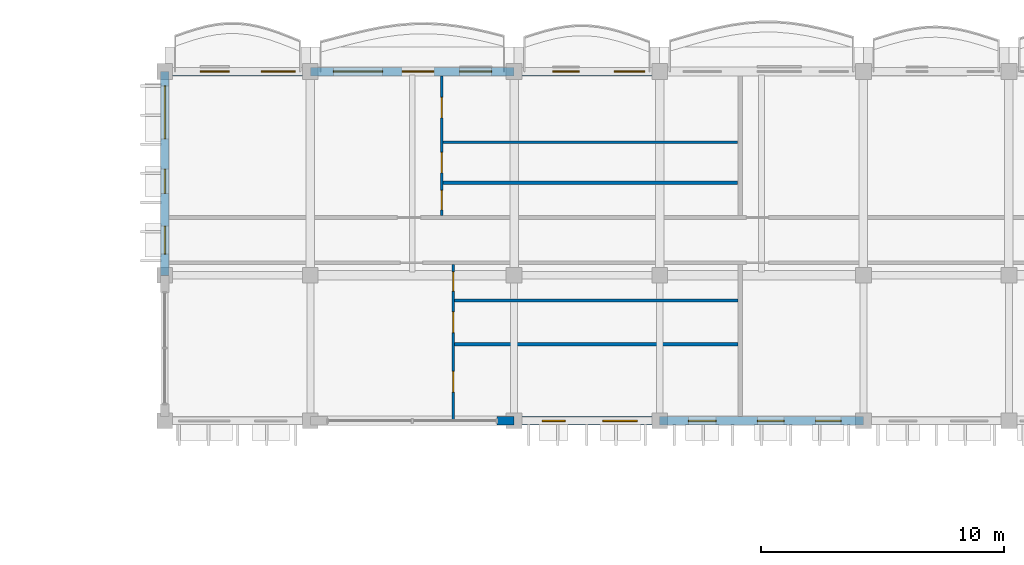
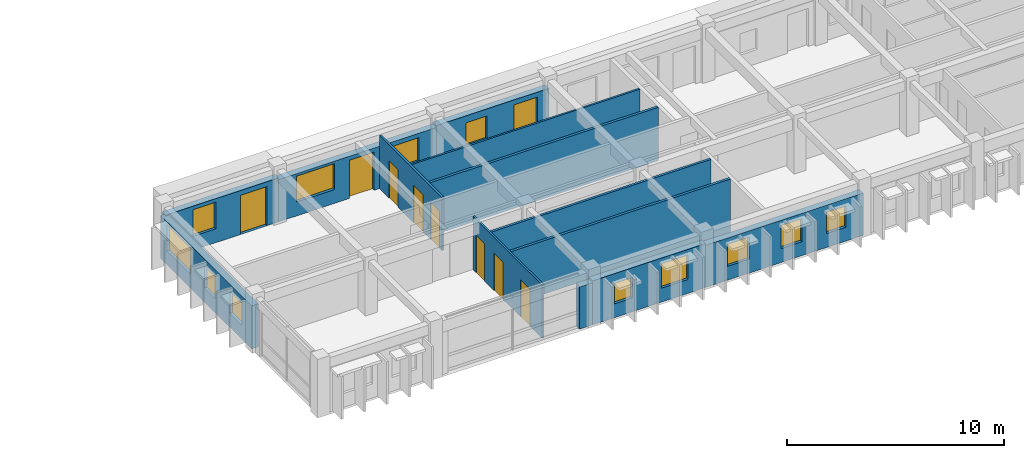
# One storey, part 37 of 79: 13 walls, 12 windows, 9 doors, 21 openings.
"""IFC4 building model written with IfcOpenShell, lengths in metres."""

from ifc_helpers import new_model, si_unit, direction, frame, frame_2d, origin, place, context, subcontext, project, spatial, rectangle, extrude, material, layer, layer_set, type_object, element, fill, save


model = new_model("IFC4")

# Units and contexts
model_context = context("Model", 3, precision=1e-05, world=origin(), true_north=direction((0.0, 1.0)))
body_context = subcontext(model_context, "Body", "Model", "MODEL_VIEW")
ifc_project = project(units=[si_unit("LENGTHUNIT", "METRE"), si_unit("AREAUNIT", "SQUARE_METRE"), si_unit("VOLUMEUNIT", "CUBIC_METRE"), si_unit("PLANEANGLEUNIT", "RADIAN"), si_unit("MASSUNIT", "GRAM", prefix="KILO"), si_unit("THERMODYNAMICTEMPERATUREUNIT", "KELVIN")], contexts=[model_context])

# Site, building, storey
site_placement = place(None, origin())
site = spatial("IfcSite", under=ifc_project, at=site_placement, CompositionType="ELEMENT")
building_placement = place(site_placement, origin())
building = spatial("IfcBuilding", under=site, at=building_placement, Name="Thalorik Housing Commons", CompositionType="ELEMENT")
storey_placement = place(building_placement, frame((0.0, 0.0, 11.39990234375)))
storey = spatial("IfcBuildingStorey", under=building, at=storey_placement, Name="L03", CompositionType="ELEMENT", Elevation=11.39990234375)

# Wall, openings, door, window
ifc_material_1 = material(Name="White precast concrete C40/50", Category="concrete")
ifc_layer_1 = layer(ifc_material_1, 0.35009765625, Name="White precast concrete C40/50", Category="concrete")
ifc_layer_set_1 = layer_set([ifc_layer_1], Name="White precast concrete C40/50")
wall_type_1 = type_object("IfcWallType", Name="ARC-WAL-EXT-350", PredefinedType="STANDARD", material=ifc_layer_set_1)
wall_1_placement = place(storey_placement, frame((100.800048828125, 123.60009765625, 0.0), z_axis=(0.0, 0.0, 1.0), x_axis=(-1.0, 0.0, 0.0)))
wall_1 = element("IfcWall", 1, at=wall_1_placement, inside=storey, type_object=wall_type_1, Name="L03 Exterior Wall WAL-EXT-L03-B-0495", PredefinedType="STANDARD", context=body_context, shape_type="SweptSolid", body=[
    extrude(rectangle(XDim=6.0, YDim=0.35009765625, at=frame_2d((3.0, 0.0))), origin(), (0.0, 0.0, 1.0), 2.47509765625),
])
opening_1_placement = place(wall_1_placement, frame((0.6201171875, 0.0, 0.0)))
opening_1 = element("IfcOpeningElement", 2, at=opening_1_placement, cuts=wall_1, Name="Opening ED-0150", PredefinedType="OPENING", context=body_context, shape_type="SweptSolid", body=[
    extrude(rectangle(XDim=1.25, YDim=2.199951171875, at=frame_2d((0.625, 1.10009765625))), frame((0.0, 0.18505859375, 0.0), z_axis=(0.0, -1.0, 0.0), x_axis=(1.0, 0.0, 0.0)), (0.0, 0.0, 1.0), 0.3701171875),
])
opening_2_placement = place(wall_1_placement, frame((3.31494140625, 0.0, 0.780029296875)))
opening_2 = element("IfcOpeningElement", 3, at=opening_2_placement, cuts=wall_1, Name="Opening W-03", PredefinedType="OPENING", context=body_context, shape_type="SweptSolid", body=[
    extrude(rectangle(XDim=1.10009765625, YDim=1.300048828125, at=frame_2d((0.550048828125, 0.64990234375))), frame((0.0, 0.18505859375, 0.0), z_axis=(0.0, -1.0, 0.0), x_axis=(1.0, 0.0, 0.0)), (0.0, 0.0, 1.0), 0.3701171875),
])
ifc_material_2 = material(Name="Anodised aluminium and laminated safety glass", Category="aluminium")
door_type_1 = type_object("IfcDoorType", Name="ARC-DR-BAL-1250", OperationType="NOTDEFINED", PredefinedType="DOOR", material=ifc_material_2)
door_1_placement = place(opening_1_placement, frame((1.25, 0.0, 0.0), z_axis=(0.0, 0.0, 1.0), x_axis=(-1.0, 0.0, 0.0)))
door_1 = element("IfcDoor", 4, at=door_1_placement, inside=storey, type_object=door_type_1, Name="L03 Block B Balcony Glazed Door", OperationType="SINGLE_SWING_LEFT", OverallHeight=2.199951171875, OverallWidth=1.25, PredefinedType="DOOR", context=body_context, shape_type="SweptSolid", body=[
    extrude(rectangle(XDim=1.25, YDim=2.199951171875, at=frame_2d((0.625, 1.10009765625))), frame((0.0, 0.02490234375, 0.0), z_axis=(0.0, -1.0, 0.0), x_axis=(1.0, 0.0, 0.0)), (0.0, 0.0, 1.0), 0.050048828125),
])
fill(opening_1, door_1)
ifc_material_3 = material(Name="Anodised aluminium and solar-control low-E glass", Category="aluminium")
window_type_1 = type_object("IfcWindowType", Name="ARC-WIN-03", PartitioningType="SINGLE_PANEL", PredefinedType="WINDOW", material=ifc_material_3)
window_1_placement = place(opening_2_placement, origin())
window_1 = element("IfcWindow", 5, at=window_1_placement, inside=storey, type_object=window_type_1, Name="L03 Facade Window 890", OverallHeight=1.300048828125, OverallWidth=1.10009765625, PartitioningType="SINGLE_PANEL", PredefinedType="WINDOW", context=body_context, shape_type="SweptSolid", body=[
    extrude(rectangle(XDim=1.10009765625, YDim=1.300048828125, at=frame_2d((0.550048828125, 0.64990234375))), frame((0.0, 0.030029296875, 0.0), z_axis=(0.0, -1.0, 0.0), x_axis=(1.0, 0.0, 0.0)), (0.0, 0.0, 1.0), 0.06005859375),
])
fill(opening_2, window_1)

# Wall, openings, door, windows
wall_2_placement = place(storey_placement, frame((94.800048828125, 123.60009765625, 0.0), z_axis=(0.0, 0.0, 1.0), x_axis=(-1.0, 0.0, 0.0)))
wall_2 = element("IfcWall", 6, at=wall_2_placement, inside=storey, type_object=wall_type_1, Name="L03 Exterior Wall WAL-EXT-L03-B-0496", PredefinedType="STANDARD", context=body_context, shape_type="SweptSolid", body=[
    extrude(rectangle(XDim=8.400146484375, YDim=0.35009765625, at=frame_2d((4.2001953125, 0.0))), origin(), (0.0, 0.0, 1.0), 2.375),
])
opening_3_placement = place(wall_2_placement, frame((3.313232421875, 0.0, 0.0)))
opening_3 = element("IfcOpeningElement", 7, at=opening_3_placement, cuts=wall_2, Name="Opening ED-0151", PredefinedType="OPENING", context=body_context, shape_type="SweptSolid", body=[
    extrude(rectangle(XDim=1.300048828125, YDim=2.14990234375, at=frame_2d((0.64990234375, 1.074951171875))), frame((0.0, 0.18505859375, 0.0), z_axis=(0.0, -1.0, 0.0), x_axis=(1.0, 0.0, 0.0)), (0.0, 0.0, 1.0), 0.3701171875),
])
opening_4_placement = place(wall_2_placement, frame((0.926513671875, 0.0, 0.780029296875)))
opening_4 = element("IfcOpeningElement", 8, at=opening_4_placement, cuts=wall_2, Name="Opening W-48", PredefinedType="OPENING", context=body_context, shape_type="SweptSolid", body=[
    extrude(rectangle(XDim=1.320068359375, YDim=1.35009765625, at=frame_2d((0.66015625, 0.675048828125))), frame((0.0, 0.18505859375, 0.0), z_axis=(0.0, -1.0, 0.0), x_axis=(1.0, 0.0, 0.0)), (0.0, 0.0, 1.0), 0.3701171875),
])
opening_5_placement = place(wall_2_placement, frame((5.41650390625, 0.0, 0.780029296875)))
opening_5 = element("IfcOpeningElement", 9, at=opening_5_placement, cuts=wall_2, Name="Opening W-62", PredefinedType="OPENING", context=body_context, shape_type="SweptSolid", body=[
    extrude(rectangle(XDim=2.0400390625, YDim=1.4599609375, at=frame_2d((1.02001953125, 0.72998046875))), frame((0.0, 0.18505859375, 0.0), z_axis=(0.0, -1.0, 0.0), x_axis=(1.0, 0.0, 0.0)), (0.0, 0.0, 1.0), 0.3701171875),
])
door_type_2 = type_object("IfcDoorType", Name="ARC-DR-BAL-1300", OperationType="NOTDEFINED", PredefinedType="DOOR", material=ifc_material_2)
door_2_placement = place(opening_3_placement, frame((1.300048828125, 0.0, 0.0), z_axis=(0.0, 0.0, 1.0), x_axis=(-1.0, 0.0, 0.0)))
door_2 = element("IfcDoor", 10, at=door_2_placement, inside=storey, type_object=door_type_2, Name="L03 Block B Balcony Glazed Door", OperationType="SINGLE_SWING_RIGHT", OverallHeight=2.14990234375, OverallWidth=1.300048828125, PredefinedType="DOOR", context=body_context, shape_type="SweptSolid", body=[
    extrude(rectangle(XDim=1.300048828125, YDim=2.14990234375, at=frame_2d((0.64990234375, 1.074951171875))), frame((0.0, 0.02490234375, 0.0), z_axis=(0.0, -1.0, 0.0), x_axis=(1.0, 0.0, 0.0)), (0.0, 0.0, 1.0), 0.050048828125),
])
fill(opening_3, door_2)
window_type_2 = type_object("IfcWindowType", Name="ARC-WIN-48", PartitioningType="SINGLE_PANEL", PredefinedType="WINDOW", material=ifc_material_3)
window_2_placement = place(opening_4_placement, origin())
window_2 = element("IfcWindow", 11, at=window_2_placement, inside=storey, type_object=window_type_2, Name="L03 Facade Window 891", OverallHeight=1.35009765625, OverallWidth=1.320068359375, PartitioningType="SINGLE_PANEL", PredefinedType="WINDOW", context=body_context, shape_type="SweptSolid", body=[
    extrude(rectangle(XDim=1.320068359375, YDim=1.35009765625, at=frame_2d((0.66015625, 0.675048828125))), frame((0.0, 0.030029296875, 0.0), z_axis=(0.0, -1.0, 0.0), x_axis=(1.0, 0.0, 0.0)), (0.0, 0.0, 1.0), 0.06005859375),
])
fill(opening_4, window_2)
window_type_3 = type_object("IfcWindowType", Name="ARC-WIN-62", PartitioningType="DOUBLE_PANEL_VERTICAL", PredefinedType="WINDOW", material=ifc_material_3)
window_3_placement = place(opening_5_placement, origin())
window_3 = element("IfcWindow", 12, at=window_3_placement, inside=storey, type_object=window_type_3, Name="L03 Facade Window 892", OverallHeight=1.4599609375, OverallWidth=2.0400390625, PartitioningType="DOUBLE_PANEL_VERTICAL", PredefinedType="WINDOW", context=body_context, shape_type="SweptSolid", body=[
    extrude(rectangle(XDim=2.0400390625, YDim=1.4599609375, at=frame_2d((1.02001953125, 0.72998046875))), frame((0.0, 0.030029296875, 0.0), z_axis=(0.0, -1.0, 0.0), x_axis=(1.0, 0.0, 0.0)), (0.0, 0.0, 1.0), 0.06005859375),
])
fill(opening_5, window_3)

# Wall, openings, door, window
wall_3_placement = place(storey_placement, frame((86.39990234375, 123.60009765625, 0.0), z_axis=(0.0, 0.0, 1.0), x_axis=(-1.0, 0.0, 0.0)))
wall_3 = element("IfcWall", 13, at=wall_3_placement, inside=storey, type_object=wall_type_1, Name="L03 Exterior Wall WAL-EXT-L03-B-0497", PredefinedType="STANDARD", context=body_context, shape_type="SweptSolid", body=[
    extrude(rectangle(XDim=6.0, YDim=0.35009765625, at=frame_2d((3.0, 0.0))), origin(), (0.0, 0.0, 1.0), 2.47509765625),
])
opening_6_placement = place(wall_3_placement, frame((0.6201171875, 0.0, 0.0)))
opening_6 = element("IfcOpeningElement", 14, at=opening_6_placement, cuts=wall_3, Name="Opening ED-0152", PredefinedType="OPENING", context=body_context, shape_type="SweptSolid", body=[
    extrude(rectangle(XDim=1.39990234375, YDim=2.199951171875, at=frame_2d((0.699951171875, 1.10009765625))), frame((0.0, 0.18505859375, 0.0), z_axis=(0.0, -1.0, 0.0), x_axis=(1.0, 0.0, 0.0)), (0.0, 0.0, 1.0), 0.3701171875),
])
opening_7_placement = place(wall_3_placement, frame((3.340087890625, 0.0, 0.780029296875)))
opening_7 = element("IfcOpeningElement", 15, at=opening_7_placement, cuts=wall_3, Name="Opening W-05", PredefinedType="OPENING", context=body_context, shape_type="SweptSolid", body=[
    extrude(rectangle(XDim=1.199951171875, YDim=1.5, at=frame_2d((0.60009765625, 0.75))), frame((0.0, 0.18505859375, 0.0), z_axis=(0.0, -1.0, 0.0), x_axis=(1.0, 0.0, 0.0)), (0.0, 0.0, 1.0), 0.3701171875),
])
door_type_3 = type_object("IfcDoorType", Name="ARC-DR-BAL-1400", OperationType="NOTDEFINED", PredefinedType="DOOR", material=ifc_material_2)
door_3_placement = place(opening_6_placement, frame((1.39990234375, 0.0, 0.0), z_axis=(0.0, 0.0, 1.0), x_axis=(-1.0, 0.0, 0.0)))
door_3 = element("IfcDoor", 16, at=door_3_placement, inside=storey, type_object=door_type_3, Name="L03 Block B Balcony Glazed Door", OperationType="SLIDING_TO_LEFT", OverallHeight=2.199951171875, OverallWidth=1.39990234375, PredefinedType="DOOR", context=body_context, shape_type="SweptSolid", body=[
    extrude(rectangle(XDim=1.39990234375, YDim=2.199951171875, at=frame_2d((0.699951171875, 1.10009765625))), frame((0.0, 0.02490234375, 0.0), z_axis=(0.0, -1.0, 0.0), x_axis=(1.0, 0.0, 0.0)), (0.0, 0.0, 1.0), 0.050048828125),
])
fill(opening_6, door_3)
window_type_4 = type_object("IfcWindowType", Name="ARC-WIN-05", PartitioningType="SINGLE_PANEL", PredefinedType="WINDOW", material=ifc_material_3)
window_4_placement = place(opening_7_placement, origin())
window_4 = element("IfcWindow", 17, at=window_4_placement, inside=storey, type_object=window_type_4, Name="L03 Facade Window 893", OverallHeight=1.5, OverallWidth=1.199951171875, PartitioningType="SINGLE_PANEL", PredefinedType="WINDOW", context=body_context, shape_type="SweptSolid", body=[
    extrude(rectangle(XDim=1.199951171875, YDim=1.5, at=frame_2d((0.60009765625, 0.75))), frame((0.0, 0.030029296875, 0.0), z_axis=(0.0, -1.0, 0.0), x_axis=(1.0, 0.0, 0.0)), (0.0, 0.0, 1.0), 0.06005859375),
])
fill(opening_7, window_4)

# Wall, openings, windows
wall_4_placement = place(storey_placement, frame((80.39990234375, 123.60009765625, 0.0), z_axis=(0.0, 0.0, 1.0), x_axis=(0.0, -1.0, 0.0)))
wall_4 = element("IfcWall", 18, at=wall_4_placement, inside=storey, type_object=wall_type_1, Name="L03 Exterior Wall WAL-EXT-L03-B-0498", PredefinedType="STANDARD", context=body_context, shape_type="SweptSolid", body=[
    extrude(rectangle(XDim=8.400146484375, YDim=0.35009765625, at=frame_2d((4.2001953125, 0.0))), origin(), (0.0, 0.0, 1.0), 2.425048828125),
])
opening_8_placement = place(wall_4_placement, frame((0.592529296875, 0.0, 0.780029296875)))
opening_8 = element("IfcOpeningElement", 19, at=opening_8_placement, cuts=wall_4, Name="Opening W-65", PredefinedType="OPENING", context=body_context, shape_type="SweptSolid", body=[
    extrude(rectangle(XDim=2.179931640625, YDim=1.47998046875, at=frame_2d((1.08984375, 0.739990234375))), frame((0.0, 0.18505859375, 0.0), z_axis=(0.0, -1.0, 0.0), x_axis=(1.0, 0.0, 0.0)), (0.0, 0.0, 1.0), 0.3701171875),
])
opening_9_placement = place(wall_4_placement, frame((4.027587890625, 0.0, 0.780029296875)))
opening_9 = element("IfcOpeningElement", 20, at=opening_9_placement, cuts=wall_4, Name="Opening W-02", PredefinedType="OPENING", context=body_context, shape_type="SweptSolid", body=[
    extrude(rectangle(XDim=1.0, YDim=1.25, at=frame_2d((0.5, 0.625))), frame((0.0, 0.18505859375, 0.0), z_axis=(0.0, -1.0, 0.0), x_axis=(1.0, 0.0, 0.0)), (0.0, 0.0, 1.0), 0.3701171875),
])
opening_10_placement = place(wall_4_placement, frame((6.375, 0.0, 0.780029296875)))
opening_10 = element("IfcOpeningElement", 21, at=opening_10_placement, cuts=wall_4, Name="Opening W-45", PredefinedType="OPENING", context=body_context, shape_type="SweptSolid", body=[
    extrude(rectangle(XDim=1.14990234375, YDim=1.25, at=frame_2d((0.574951171875, 0.625))), frame((0.0, 0.18505859375, 0.0), z_axis=(0.0, -1.0, 0.0), x_axis=(1.0, 0.0, 0.0)), (0.0, 0.0, 1.0), 0.3701171875),
])
window_type_5 = type_object("IfcWindowType", Name="ARC-WIN-02", PartitioningType="SINGLE_PANEL", PredefinedType="WINDOW", material=ifc_material_3)
window_5_placement = place(opening_9_placement, origin())
window_5 = element("IfcWindow", 22, at=window_5_placement, inside=storey, type_object=window_type_5, Name="L03 Facade Window 895", OverallHeight=1.25, OverallWidth=1.0, PartitioningType="SINGLE_PANEL", PredefinedType="WINDOW", context=body_context, shape_type="SweptSolid", body=[
    extrude(rectangle(XDim=1.0, YDim=1.25, at=frame_2d((0.5, 0.625))), frame((0.0, 0.030029296875, 0.0), z_axis=(0.0, -1.0, 0.0), x_axis=(1.0, 0.0, 0.0)), (0.0, 0.0, 1.0), 0.06005859375),
])
fill(opening_9, window_5)
window_type_6 = type_object("IfcWindowType", Name="ARC-WIN-45", PartitioningType="SINGLE_PANEL", PredefinedType="WINDOW", material=ifc_material_3)
window_6_placement = place(opening_10_placement, origin())
window_6 = element("IfcWindow", 23, at=window_6_placement, inside=storey, type_object=window_type_6, Name="L03 Facade Window 896", OverallHeight=1.25, OverallWidth=1.14990234375, PartitioningType="SINGLE_PANEL", PredefinedType="WINDOW", context=body_context, shape_type="SweptSolid", body=[
    extrude(rectangle(XDim=1.14990234375, YDim=1.25, at=frame_2d((0.574951171875, 0.625))), frame((0.0, 0.030029296875, 0.0), z_axis=(0.0, -1.0, 0.0), x_axis=(1.0, 0.0, 0.0)), (0.0, 0.0, 1.0), 0.06005859375),
])
fill(opening_10, window_6)
window_type_7 = type_object("IfcWindowType", Name="ARC-WIN-65", PartitioningType="DOUBLE_PANEL_VERTICAL", PredefinedType="WINDOW", material=ifc_material_3)
window_7_placement = place(opening_8_placement, origin())
window_7 = element("IfcWindow", 24, at=window_7_placement, inside=storey, type_object=window_type_7, Name="L03 Facade Window 894", OverallHeight=1.47998046875, OverallWidth=2.179931640625, PartitioningType="DOUBLE_PANEL_VERTICAL", PredefinedType="WINDOW", context=body_context, shape_type="SweptSolid", body=[
    extrude(rectangle(XDim=2.179931640625, YDim=1.47998046875, at=frame_2d((1.08984375, 0.739990234375))), frame((0.0, 0.030029296875, 0.0), z_axis=(0.0, -1.0, 0.0), x_axis=(1.0, 0.0, 0.0)), (0.0, 0.0, 1.0), 0.06005859375),
])
fill(opening_8, window_7)

# Wall
wall_5_placement = place(storey_placement, frame((94.10009765625, 109.199951171875, 0.0), z_axis=(0.0, 0.0, 1.0), x_axis=(1.0, 0.0, 0.0)))
element("IfcWall", 25, at=wall_5_placement, inside=storey, type_object=wall_type_1, Name="L03 Exterior Wall WAL-PIERR-L03-B-0501", PredefinedType="STANDARD", context=body_context, shape_type="SweptSolid", body=[
    extrude(rectangle(XDim=0.699951171875, YDim=0.35009765625, at=frame_2d((0.35009765625, 0.0))), origin(), (0.0, 0.0, 1.0), 2.375),
])

# Wall, openings, windows
wall_6_placement = place(storey_placement, frame((94.800048828125, 109.199951171875, 0.0), z_axis=(0.0, 0.0, 1.0), x_axis=(1.0, 0.0, 0.0)))
wall_6 = element("IfcWall", 26, at=wall_6_placement, inside=storey, type_object=wall_type_1, Name="L03 Exterior Wall WAL-EXT-L03-B-0502", PredefinedType="STANDARD", context=body_context, shape_type="SweptSolid", body=[
    extrude(rectangle(XDim=6.0, YDim=0.35009765625, at=frame_2d((3.0, 0.0))), origin(), (0.0, 0.0, 1.0), 2.47509765625),
])
opening_11_placement = place(wall_6_placement, frame((1.155029296875, 0.0, 0.780029296875)))
opening_11 = element("IfcOpeningElement", 27, at=opening_11_placement, cuts=wall_6, Name="Opening W-43", PredefinedType="OPENING", context=body_context, shape_type="SweptSolid", body=[
    extrude(rectangle(XDim=0.949951171875, YDim=1.14990234375, at=frame_2d((0.47509765625, 0.574951171875))), frame((0.0, 0.18505859375, 0.0), z_axis=(0.0, -1.0, 0.0), x_axis=(1.0, 0.0, 0.0)), (0.0, 0.0, 1.0), 0.3701171875),
])
opening_12_placement = place(wall_6_placement, frame((3.659912109375, 0.0, 0.780029296875)))
opening_12 = element("IfcOpeningElement", 28, at=opening_12_placement, cuts=wall_6, Name="Opening W-50", PredefinedType="OPENING", context=body_context, shape_type="SweptSolid", body=[
    extrude(rectangle(XDim=1.419921875, YDim=1.3798828125, at=frame_2d((0.7099609375, 0.68994140625))), frame((0.0, 0.18505859375, 0.0), z_axis=(0.0, -1.0, 0.0), x_axis=(1.0, 0.0, 0.0)), (0.0, 0.0, 1.0), 0.3701171875),
])
window_type_8 = type_object("IfcWindowType", Name="ARC-WIN-43", PartitioningType="SINGLE_PANEL", PredefinedType="WINDOW", material=ifc_material_3)
window_8_placement = place(opening_11_placement, origin())
window_8 = element("IfcWindow", 29, at=window_8_placement, inside=storey, type_object=window_type_8, Name="L03 Facade Window 899", OverallHeight=1.14990234375, OverallWidth=0.949951171875, PartitioningType="SINGLE_PANEL", PredefinedType="WINDOW", context=body_context, shape_type="SweptSolid", body=[
    extrude(rectangle(XDim=0.949951171875, YDim=1.14990234375, at=frame_2d((0.47509765625, 0.574951171875))), frame((0.0, 0.030029296875, 0.0), z_axis=(0.0, -1.0, 0.0), x_axis=(1.0, 0.0, 0.0)), (0.0, 0.0, 1.0), 0.06005859375),
])
fill(opening_11, window_8)
window_type_9 = type_object("IfcWindowType", Name="ARC-WIN-50", PartitioningType="SINGLE_PANEL", PredefinedType="WINDOW", material=ifc_material_3)
window_9_placement = place(opening_12_placement, origin())
window_9 = element("IfcWindow", 30, at=window_9_placement, inside=storey, type_object=window_type_9, Name="L03 Facade Window 900", OverallHeight=1.3798828125, OverallWidth=1.419921875, PartitioningType="SINGLE_PANEL", PredefinedType="WINDOW", context=body_context, shape_type="SweptSolid", body=[
    extrude(rectangle(XDim=1.419921875, YDim=1.3798828125, at=frame_2d((0.7099609375, 0.68994140625))), frame((0.0, 0.030029296875, 0.0), z_axis=(0.0, -1.0, 0.0), x_axis=(1.0, 0.0, 0.0)), (0.0, 0.0, 1.0), 0.06005859375),
])
fill(opening_12, window_9)

wall_7_placement = place(storey_placement, frame((100.800048828125, 109.199951171875, 0.0), z_axis=(0.0, 0.0, 1.0), x_axis=(1.0, 0.0, 0.0)))
wall_7 = element("IfcWall", 31, at=wall_7_placement, inside=storey, type_object=wall_type_1, Name="L03 Exterior Wall WAL-EXT-L03-B-0503", PredefinedType="STANDARD", context=body_context, shape_type="SweptSolid", body=[
    extrude(rectangle(XDim=8.39990234375, YDim=0.35009765625, at=frame_2d((4.199951171875, 0.0))), origin(), (0.0, 0.0, 1.0), 2.375),
])
opening_13_placement = place(wall_7_placement, frame((1.179931640625, 0.0, 0.780029296875)))
opening_13 = element("IfcOpeningElement", 32, at=opening_13_placement, cuts=wall_7, Name="Opening W-45", PredefinedType="OPENING", context=body_context, shape_type="SweptSolid", body=[
    extrude(rectangle(XDim=1.14990234375, YDim=1.25, at=frame_2d((0.574951171875, 0.625))), frame((0.0, 0.18505859375, 0.0), z_axis=(0.0, -1.0, 0.0), x_axis=(1.0, 0.0, 0.0)), (0.0, 0.0, 1.0), 0.3701171875),
])
opening_14_placement = place(wall_7_placement, frame((4.027587890625, 0.0, 0.780029296875)))
opening_14 = element("IfcOpeningElement", 33, at=opening_14_placement, cuts=wall_7, Name="Opening W-03", PredefinedType="OPENING", context=body_context, shape_type="SweptSolid", body=[
    extrude(rectangle(XDim=1.10009765625, YDim=1.300048828125, at=frame_2d((0.550048828125, 0.64990234375))), frame((0.0, 0.18505859375, 0.0), z_axis=(0.0, -1.0, 0.0), x_axis=(1.0, 0.0, 0.0)), (0.0, 0.0, 1.0), 0.3701171875),
])
opening_15_placement = place(wall_7_placement, frame((6.427490234375, 0.0, 0.780029296875)))
opening_15 = element("IfcOpeningElement", 34, at=opening_15_placement, cuts=wall_7, Name="Opening W-44", PredefinedType="OPENING", context=body_context, shape_type="SweptSolid", body=[
    extrude(rectangle(XDim=1.050048828125, YDim=1.199951171875, at=frame_2d((0.52490234375, 0.60009765625))), frame((0.0, 0.18505859375, 0.0), z_axis=(0.0, -1.0, 0.0), x_axis=(1.0, 0.0, 0.0)), (0.0, 0.0, 1.0), 0.3701171875),
])
window_10_placement = place(opening_14_placement, origin())
window_10 = element("IfcWindow", 35, at=window_10_placement, inside=storey, type_object=window_type_1, Name="L03 Facade Window 902", OverallHeight=1.300048828125, OverallWidth=1.10009765625, PartitioningType="SINGLE_PANEL", PredefinedType="WINDOW", context=body_context, shape_type="SweptSolid", body=[
    extrude(rectangle(XDim=1.10009765625, YDim=1.300048828125, at=frame_2d((0.550048828125, 0.64990234375))), frame((0.0, 0.030029296875, 0.0), z_axis=(0.0, -1.0, 0.0), x_axis=(1.0, 0.0, 0.0)), (0.0, 0.0, 1.0), 0.06005859375),
])
fill(opening_14, window_10)
window_type_10 = type_object("IfcWindowType", Name="ARC-WIN-44", PartitioningType="SINGLE_PANEL", PredefinedType="WINDOW", material=ifc_material_3)
window_11_placement = place(opening_15_placement, origin())
window_11 = element("IfcWindow", 36, at=window_11_placement, inside=storey, type_object=window_type_10, Name="L03 Facade Window 903", OverallHeight=1.199951171875, OverallWidth=1.050048828125, PartitioningType="SINGLE_PANEL", PredefinedType="WINDOW", context=body_context, shape_type="SweptSolid", body=[
    extrude(rectangle(XDim=1.050048828125, YDim=1.199951171875, at=frame_2d((0.52490234375, 0.60009765625))), frame((0.0, 0.030029296875, 0.0), z_axis=(0.0, -1.0, 0.0), x_axis=(1.0, 0.0, 0.0)), (0.0, 0.0, 1.0), 0.06005859375),
])
fill(opening_15, window_11)
window_12_placement = place(opening_13_placement, origin())
window_12 = element("IfcWindow", 37, at=window_12_placement, inside=storey, type_object=window_type_6, Name="L03 Facade Window 901", OverallHeight=1.25, OverallWidth=1.14990234375, PartitioningType="SINGLE_PANEL", PredefinedType="WINDOW", context=body_context, shape_type="SweptSolid", body=[
    extrude(rectangle(XDim=1.14990234375, YDim=1.25, at=frame_2d((0.574951171875, 0.625))), frame((0.0, 0.030029296875, 0.0), z_axis=(0.0, -1.0, 0.0), x_axis=(1.0, 0.0, 0.0)), (0.0, 0.0, 1.0), 0.06005859375),
])
fill(opening_13, window_12)

# Wall, openings, doors
ifc_material_4 = material(Name="Gypsum light stud partition", Category="masonry")
ifc_layer_2 = layer(ifc_material_4, 0.10009765625, Name="Gypsum light stud partition", Category="masonry")
ifc_layer_set_2 = layer_set([ifc_layer_2], Name="Gypsum light stud partition")
wall_type_2 = type_object("IfcWallType", Name="ARC-WAL-PART-100", PredefinedType="PARTITIONING", material=ifc_layer_set_2)
wall_8_placement = place(storey_placement, frame((92.2900390625, 109.260009765625, 0.0), z_axis=(0.0, 0.0, 1.0), x_axis=(0.0, 1.0, 0.0)))
wall_8 = element("IfcWall", 38, at=wall_8_placement, inside=storey, type_object=wall_type_2, Name="L03 Unit 1 Spine Partition", PredefinedType="PARTITIONING", context=body_context, shape_type="SweptSolid", body=[
    extrude(rectangle(XDim=6.383056640625, YDim=0.10009765625, at=frame_2d((3.19140625, 0.0))), origin(), (0.0, 0.0, 1.0), 3.0),
])
opening_16_placement = place(wall_8_placement, frame((1.12548828125, 0.0, 0.0)))
opening_16 = element("IfcOpeningElement", 39, at=opening_16_placement, cuts=wall_8, Name="Opening ID-1074", PredefinedType="OPENING", context=body_context, shape_type="SweptSolid", body=[
    extrude(rectangle(XDim=0.85009765625, YDim=2.10009765625, at=frame_2d((0.425048828125, 1.050048828125))), frame((0.0, 0.06005859375, 0.0), z_axis=(0.0, -1.0, 0.0), x_axis=(1.0, 0.0, 0.0)), (0.0, 0.0, 1.0), 0.1201171875),
])
opening_17_placement = place(wall_8_placement, frame((3.580078125, 0.0, 0.0)))
opening_17 = element("IfcOpeningElement", 40, at=opening_17_placement, cuts=wall_8, Name="Opening ID-1075", PredefinedType="OPENING", context=body_context, shape_type="SweptSolid", body=[
    extrude(rectangle(XDim=0.85009765625, YDim=2.10009765625, at=frame_2d((0.425048828125, 1.050048828125))), frame((0.0, 0.06005859375, 0.0), z_axis=(0.0, -1.0, 0.0), x_axis=(1.0, 0.0, 0.0)), (0.0, 0.0, 1.0), 0.1201171875),
])
opening_18_placement = place(wall_8_placement, frame((5.284912109375, 0.0, 0.0)))
opening_18 = element("IfcOpeningElement", 41, at=opening_18_placement, cuts=wall_8, Name="Opening ID-1076", PredefinedType="OPENING", context=body_context, shape_type="SweptSolid", body=[
    extrude(rectangle(XDim=0.800048828125, YDim=2.10009765625, at=frame_2d((0.39990234375, 1.050048828125))), frame((0.0, 0.06005859375, 0.0), z_axis=(0.0, -1.0, 0.0), x_axis=(1.0, 0.0, 0.0)), (0.0, 0.0, 1.0), 0.1201171875),
])
ifc_material_5 = material(Name="Moisture-resistant timber", Category="wood")
door_type_4 = type_object("IfcDoorType", Name="ARC-DR-INT-800", OperationType="NOTDEFINED", PredefinedType="DOOR", material=ifc_material_5)
door_4_placement = place(opening_18_placement, origin())
door_4 = element("IfcDoor", 42, at=door_4_placement, inside=storey, type_object=door_type_4, Name="L03 Flat Bathroom Door", OperationType="SINGLE_SWING_LEFT", OverallHeight=2.10009765625, OverallWidth=0.800048828125, PredefinedType="DOOR", context=body_context, shape_type="SweptSolid", body=[
    extrude(rectangle(XDim=0.800048828125, YDim=2.10009765625, at=frame_2d((0.39990234375, 1.050048828125))), frame((0.0, 0.02490234375, 0.0), z_axis=(0.0, -1.0, 0.0), x_axis=(1.0, 0.0, 0.0)), (0.0, 0.0, 1.0), 0.050048828125),
])
fill(opening_18, door_4)
ifc_material_6 = material(Name="Engineered oak timber", Category="wood")
door_type_5 = type_object("IfcDoorType", Name="ARC-DR-INT-850", OperationType="NOTDEFINED", PredefinedType="DOOR", material=ifc_material_6)
door_5_placement = place(opening_16_placement, origin())
door_5 = element("IfcDoor", 43, at=door_5_placement, inside=storey, type_object=door_type_5, Name="L03 Single Bedroom Door", OperationType="SINGLE_SWING_LEFT", OverallHeight=2.10009765625, OverallWidth=0.85009765625, PredefinedType="DOOR", context=body_context, shape_type="SweptSolid", body=[
    extrude(rectangle(XDim=0.85009765625, YDim=2.10009765625, at=frame_2d((0.425048828125, 1.050048828125))), frame((0.0, 0.02490234375, 0.0), z_axis=(0.0, -1.0, 0.0), x_axis=(1.0, 0.0, 0.0)), (0.0, 0.0, 1.0), 0.050048828125),
])
fill(opening_16, door_5)
door_6_placement = place(opening_17_placement, origin())
door_6 = element("IfcDoor", 44, at=door_6_placement, inside=storey, type_object=door_type_5, Name="L03 Galley Kitchen Door", OperationType="SINGLE_SWING_RIGHT", OverallHeight=2.10009765625, OverallWidth=0.85009765625, PredefinedType="DOOR", context=body_context, shape_type="SweptSolid", body=[
    extrude(rectangle(XDim=0.85009765625, YDim=2.10009765625, at=frame_2d((0.425048828125, 1.050048828125))), frame((0.0, 0.02490234375, 0.0), z_axis=(0.0, -1.0, 0.0), x_axis=(1.0, 0.0, 0.0)), (0.0, 0.0, 1.0), 0.050048828125),
])
fill(opening_17, door_6)

# Wall
wall_9_placement = place(storey_placement, frame((91.876220703125, 120.67919921875, 0.0), z_axis=(0.0, 0.0, 1.0), x_axis=(1.0, 0.0, 0.0)))
element("IfcWall", 45, at=wall_9_placement, inside=storey, type_object=wall_type_2, Name="L03 Unit 1B Bedroom Partition", PredefinedType="PARTITIONING", context=body_context, shape_type="SweptSolid", body=[
    extrude(rectangle(XDim=12.141845703125, YDim=0.10009765625, at=frame_2d((6.07080078125, 0.0))), origin(), (0.0, 0.0, 1.0), 3.0),
])

# Wall, openings, doors
ifc_material_7 = material(Name="Gypsum moisture-resistant partition", Category="masonry")
ifc_layer_3 = layer(ifc_material_7, 0.114990234375, Name="Gypsum moisture-resistant partition", Category="masonry")
ifc_layer_set_3 = layer_set([ifc_layer_3], Name="Gypsum moisture-resistant partition")
wall_type_3 = type_object("IfcWallType", Name="ARC-WAL-PART-115", PredefinedType="PARTITIONING", material=ifc_layer_set_3)
wall_10_placement = place(storey_placement, frame((91.81689453125, 117.66455078125, 0.0), z_axis=(0.0, 0.0, 1.0), x_axis=(0.0, 1.0, 0.0)))
wall_10 = element("IfcWall", 46, at=wall_10_placement, inside=storey, type_object=wall_type_3, Name="L03 Unit 1B Spine Partition", PredefinedType="PARTITIONING", context=body_context, shape_type="SweptSolid", body=[
    extrude(rectangle(XDim=5.758544921875, YDim=0.114990234375, at=frame_2d((2.87939453125, 0.0))), origin(), (0.0, 0.0, 1.0), 3.0),
])
opening_19_placement = place(wall_10_placement, frame((0.230712890625, 0.0, 0.0)))
opening_19 = element("IfcOpeningElement", 47, at=opening_19_placement, cuts=wall_10, Name="Opening ID-1077", PredefinedType="OPENING", context=body_context, shape_type="SweptSolid", body=[
    extrude(rectangle(XDim=0.800048828125, YDim=2.10009765625, at=frame_2d((0.39990234375, 1.050048828125))), frame((0.0, 0.0673828125, 0.0), z_axis=(0.0, -1.0, 0.0), x_axis=(1.0, 0.0, 0.0)), (0.0, 0.0, 1.0), 0.135009765625),
])
opening_20_placement = place(wall_10_placement, frame((1.75537109375, 0.0, 0.0)))
opening_20 = element("IfcOpeningElement", 48, at=opening_20_placement, cuts=wall_10, Name="Opening ID-1078", PredefinedType="OPENING", context=body_context, shape_type="SweptSolid", body=[
    extrude(rectangle(XDim=0.85009765625, YDim=2.10009765625, at=frame_2d((0.425048828125, 1.050048828125))), frame((0.0, 0.0673828125, 0.0), z_axis=(0.0, -1.0, 0.0), x_axis=(1.0, 0.0, 0.0)), (0.0, 0.0, 1.0), 0.135009765625),
])
opening_21_placement = place(wall_10_placement, frame((4.02001953125, 0.0, 0.0)))
opening_21 = element("IfcOpeningElement", 49, at=opening_21_placement, cuts=wall_10, Name="Opening ID-1079", PredefinedType="OPENING", context=body_context, shape_type="SweptSolid", body=[
    extrude(rectangle(XDim=0.85009765625, YDim=2.10009765625, at=frame_2d((0.425048828125, 1.050048828125))), frame((0.0, 0.0673828125, 0.0), z_axis=(0.0, -1.0, 0.0), x_axis=(1.0, 0.0, 0.0)), (0.0, 0.0, 1.0), 0.135009765625),
])
door_7_placement = place(opening_19_placement, origin())
door_7 = element("IfcDoor", 50, at=door_7_placement, inside=storey, type_object=door_type_4, Name="L03 Flat Bathroom Door", OperationType="SINGLE_SWING_RIGHT", OverallHeight=2.10009765625, OverallWidth=0.800048828125, PredefinedType="DOOR", context=body_context, shape_type="SweptSolid", body=[
    extrude(rectangle(XDim=0.800048828125, YDim=2.10009765625, at=frame_2d((0.39990234375, 1.050048828125))), frame((0.0, 0.02490234375, 0.0), z_axis=(0.0, -1.0, 0.0), x_axis=(1.0, 0.0, 0.0)), (0.0, 0.0, 1.0), 0.050048828125),
])
fill(opening_19, door_7)
door_8_placement = place(opening_20_placement, origin())
door_8 = element("IfcDoor", 51, at=door_8_placement, inside=storey, type_object=door_type_5, Name="L03 Eat-In Kitchen Door", OperationType="SINGLE_SWING_LEFT", OverallHeight=2.10009765625, OverallWidth=0.85009765625, PredefinedType="DOOR", context=body_context, shape_type="SweptSolid", body=[
    extrude(rectangle(XDim=0.85009765625, YDim=2.10009765625, at=frame_2d((0.425048828125, 1.050048828125))), frame((0.0, 0.02490234375, 0.0), z_axis=(0.0, -1.0, 0.0), x_axis=(1.0, 0.0, 0.0)), (0.0, 0.0, 1.0), 0.050048828125),
])
fill(opening_20, door_8)
door_9_placement = place(opening_21_placement, origin())
door_9 = element("IfcDoor", 52, at=door_9_placement, inside=storey, type_object=door_type_5, Name="L03 Master Bedroom Door", OperationType="SINGLE_SWING_RIGHT", OverallHeight=2.10009765625, OverallWidth=0.85009765625, PredefinedType="DOOR", context=body_context, shape_type="SweptSolid", body=[
    extrude(rectangle(XDim=0.85009765625, YDim=2.10009765625, at=frame_2d((0.425048828125, 1.050048828125))), frame((0.0, 0.02490234375, 0.0), z_axis=(0.0, -1.0, 0.0), x_axis=(1.0, 0.0, 0.0)), (0.0, 0.0, 1.0), 0.050048828125),
])
fill(opening_21, door_9)

# Walls
ifc_material_8 = material(Name="Gypsum acoustic stud partition", Category="masonry")
ifc_layer_4 = layer(ifc_material_8, 0.125, Name="Gypsum acoustic stud partition", Category="masonry")
ifc_layer_set_4 = layer_set([ifc_layer_4], Name="Gypsum acoustic stud partition")
wall_type_4 = type_object("IfcWallType", Name="ARC-WAL-PART-125", PredefinedType="PARTITIONING", material=ifc_layer_set_4)
wall_11_placement = place(storey_placement, frame((92.342041015625, 114.169677734375, 0.0), z_axis=(0.0, 0.0, 1.0), x_axis=(1.0, 0.0, 0.0)))
element("IfcWall", 53, at=wall_11_placement, inside=storey, type_object=wall_type_4, Name="L03 Unit 1 Wet Wall", PredefinedType="PARTITIONING", context=body_context, shape_type="SweptSolid", body=[
    extrude(rectangle(XDim=11.683349609375, YDim=0.125, at=frame_2d((5.841796875, 0.0))), origin(), (0.0, 0.0, 1.0), 3.0),
])
ifc_material_9 = material(Name="Ceramic masonry partition wall", Category="masonry")
ifc_layer_5 = layer(ifc_material_9, 0.139892578125, Name="Ceramic masonry partition wall", Category="masonry")
ifc_layer_set_5 = layer_set([ifc_layer_5], Name="Ceramic masonry partition wall")
wall_type_5 = type_object("IfcWallType", Name="ARC-WAL-PART-140", PredefinedType="PARTITIONING", material=ifc_layer_set_5)
wall_12_placement = place(storey_placement, frame((92.342041015625, 112.36083984375, 0.0), z_axis=(0.0, 0.0, 1.0), x_axis=(1.0, 0.0, 0.0)))
element("IfcWall", 54, at=wall_12_placement, inside=storey, type_object=wall_type_5, Name="L03 Unit 1 Bedroom Partition", PredefinedType="PARTITIONING", context=body_context, shape_type="SweptSolid", body=[
    extrude(rectangle(XDim=11.683349609375, YDim=0.139892578125, at=frame_2d((5.841796875, 0.0))), origin(), (0.0, 0.0, 1.0), 3.0),
])
wall_13_placement = place(storey_placement, frame((91.876220703125, 119.010498046875, 0.0), z_axis=(0.0, 0.0, 1.0), x_axis=(1.0, 0.0, 0.0)))
element("IfcWall", 55, at=wall_13_placement, inside=storey, type_object=wall_type_5, Name="L03 Unit 1B Wet Wall", PredefinedType="PARTITIONING", context=body_context, shape_type="SweptSolid", body=[
    extrude(rectangle(XDim=12.141845703125, YDim=0.139892578125, at=frame_2d((6.07080078125, 0.0))), origin(), (0.0, 0.0, 1.0), 3.0),
])

save(model, "model.ifc")
